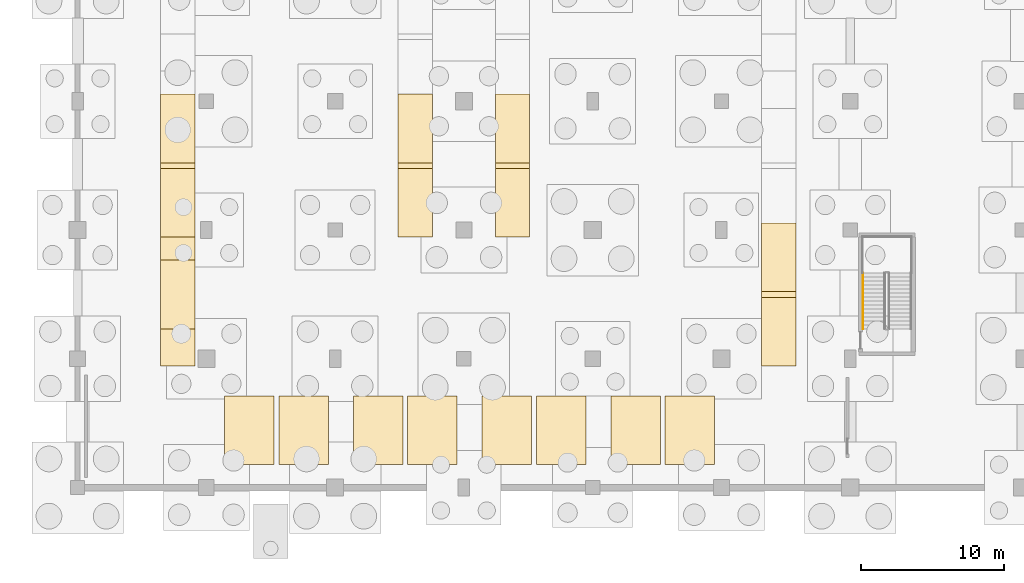
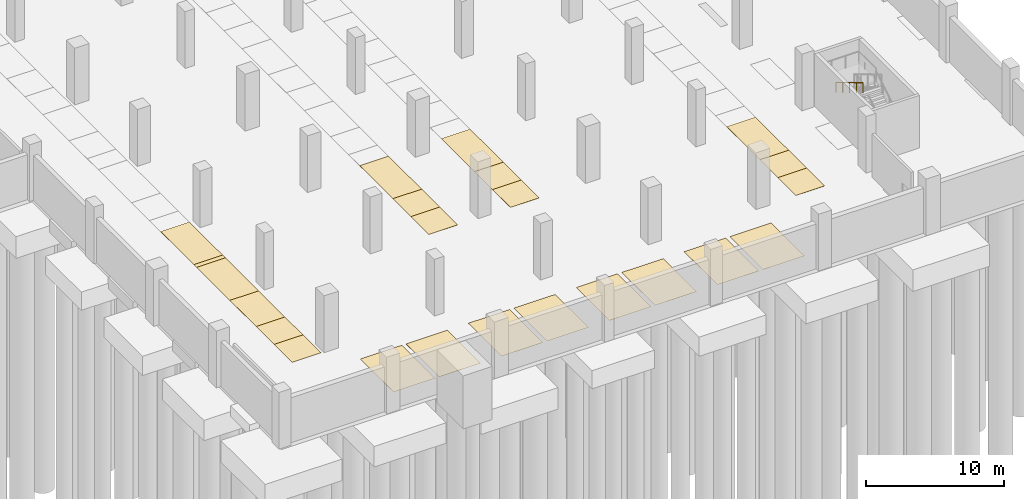
# One storey, part 27 of 37: 23 coverings, 1 railing.
"""IFC4 building model written with IfcOpenShell, lengths in metres."""

from ifc_helpers import new_model, si_unit, direction, frame, origin, origin_2d, place, context, subcontext, project, spatial, polyline, circle, outline, extrude, material, layer, layer_set, type_object, element, save


model = new_model("IFC4")

# Units and contexts
model_context = context("Model", 3, precision=1e-05, world=origin(), true_north=direction((0.0, 1.0)))
body_context = subcontext(model_context, "Body", "Model", "MODEL_VIEW")
ifc_project = project(units=[si_unit("LENGTHUNIT", "METRE"), si_unit("AREAUNIT", "SQUARE_METRE"), si_unit("VOLUMEUNIT", "CUBIC_METRE"), si_unit("PLANEANGLEUNIT", "RADIAN"), si_unit("MASSUNIT", "GRAM", prefix="KILO")], contexts=[model_context])

# Site, building, storey
site_placement = place(None, origin())
site = spatial("IfcSite", under=ifc_project, at=site_placement, CompositionType="ELEMENT")
building_placement = place(site_placement, origin())
building = spatial("IfcBuilding", under=site, at=building_placement, Name="Barlavento Convention Centre", CompositionType="ELEMENT")
storey_placement = place(building_placement, frame((0.0, 0.0, -5.0)))
storey = spatial("IfcBuildingStorey", under=building, at=storey_placement, Name="B1", CompositionType="ELEMENT", Elevation=-5.0)

# Coverings
ifc_material_1 = material(Name="Thermoplastic reflective bay marking")
ifc_layer = layer(ifc_material_1, 0.0048828125)
ifc_layer_set = layer_set([ifc_layer], Name="ARC-COV-PARK-BAY")
covering_type = type_object("IfcCoveringType", Name="ARC-COV-PARK-BAY", PredefinedType="FLOORING", material=ifc_layer_set)
covering_1_placement = place(storey_placement, origin())
element("IfcCovering", 1, at=covering_1_placement, inside=storey, type_object=covering_type, Name="Standard parking bay marking PK-001", PredefinedType="FLOORING", context=body_context, shape_type="SweptSolid", body=[
    extrude(outline(polyline([(131.800048828125, 8.5), (134.199951171875, 8.5), (134.199951171875, 13.300048828125), (131.800048828125, 13.300048828125), (131.800048828125, 8.5)])), origin(), (0.0, 0.0, 1.0), 0.0048828125),
])
covering_2_placement = place(storey_placement, origin())
element("IfcCovering", 2, at=covering_2_placement, inside=storey, type_object=covering_type, Name="Standard parking bay marking PK-002", PredefinedType="FLOORING", context=body_context, shape_type="SweptSolid", body=[
    extrude(outline(polyline([(173.800048828125, 8.5), (176.199951171875, 8.5), (176.199951171875, 13.300048828125), (173.800048828125, 13.300048828125), (173.800048828125, 8.5)])), origin(), (0.0, 0.0, 1.0), 0.0048828125),
])
covering_3_placement = place(storey_placement, origin())
element("IfcCovering", 3, at=covering_3_placement, inside=storey, type_object=covering_type, Name="Standard parking bay marking PK-003", PredefinedType="FLOORING", context=body_context, shape_type="SweptSolid", body=[
    extrude(outline(polyline([(131.800048828125, 11.10009765625), (134.199951171875, 11.10009765625), (134.199951171875, 15.89990234375), (131.800048828125, 15.89990234375), (131.800048828125, 11.10009765625)])), origin(), (0.0, 0.0, 1.0), 0.0048828125),
])
covering_4_placement = place(storey_placement, origin())
element("IfcCovering", 4, at=covering_4_placement, inside=storey, type_object=covering_type, Name="Standard parking bay marking PK-004", PredefinedType="FLOORING", context=body_context, shape_type="SweptSolid", body=[
    extrude(outline(polyline([(173.800048828125, 11.10009765625), (176.199951171875, 11.10009765625), (176.199951171875, 15.89990234375), (173.800048828125, 15.89990234375), (173.800048828125, 11.10009765625)])), origin(), (0.0, 0.0, 1.0), 0.0048828125),
])
covering_5_placement = place(storey_placement, origin())
element("IfcCovering", 5, at=covering_5_placement, inside=storey, type_object=covering_type, Name="Standard parking bay marking PK-005", PredefinedType="FLOORING", context=body_context, shape_type="SweptSolid", body=[
    extrude(outline(polyline([(131.800048828125, 13.699951171875), (134.199951171875, 13.699951171875), (134.199951171875, 18.5), (131.800048828125, 18.5), (131.800048828125, 13.699951171875)])), origin(), (0.0, 0.0, 1.0), 0.0048828125),
])
covering_6_placement = place(storey_placement, origin())
element("IfcCovering", 6, at=covering_6_placement, inside=storey, type_object=covering_type, Name="Standard parking bay marking PK-006", PredefinedType="FLOORING", context=body_context, shape_type="SweptSolid", body=[
    extrude(outline(polyline([(173.800048828125, 13.699951171875), (176.199951171875, 13.699951171875), (176.199951171875, 18.5), (173.800048828125, 18.5), (173.800048828125, 13.699951171875)])), origin(), (0.0, 0.0, 1.0), 0.0048828125),
])
covering_7_placement = place(storey_placement, origin())
element("IfcCovering", 7, at=covering_7_placement, inside=storey, type_object=covering_type, Name="Standard parking bay marking PK-007", PredefinedType="FLOORING", context=body_context, shape_type="SweptSolid", body=[
    extrude(outline(polyline([(131.800048828125, 17.5), (134.199951171875, 17.5), (134.199951171875, 22.300048828125), (131.800048828125, 22.300048828125), (131.800048828125, 17.5)])), origin(), (0.0, 0.0, 1.0), 0.0048828125),
])
covering_8_placement = place(storey_placement, origin())
element("IfcCovering", 8, at=covering_8_placement, inside=storey, type_object=covering_type, Name="Standard parking bay marking PK-009", PredefinedType="FLOORING", context=body_context, shape_type="SweptSolid", body=[
    extrude(outline(polyline([(131.800048828125, 20.10009765625), (134.199951171875, 20.10009765625), (134.199951171875, 24.89990234375), (131.800048828125, 24.89990234375), (131.800048828125, 20.10009765625)])), origin(), (0.0, 0.0, 1.0), 0.0048828125),
])
covering_9_placement = place(storey_placement, origin())
element("IfcCovering", 9, at=covering_9_placement, inside=storey, type_object=covering_type, Name="Standard parking bay marking PK-011", PredefinedType="FLOORING", context=body_context, shape_type="SweptSolid", body=[
    extrude(outline(polyline([(131.800048828125, 22.699951171875), (134.199951171875, 22.699951171875), (134.199951171875, 27.5), (131.800048828125, 27.5), (131.800048828125, 22.699951171875)])), origin(), (0.0, 0.0, 1.0), 0.0048828125),
])
covering_10_placement = place(storey_placement, origin())
element("IfcCovering", 10, at=covering_10_placement, inside=storey, type_object=covering_type, Name="Standard parking bay marking PK-055", PredefinedType="FLOORING", context=body_context, shape_type="SweptSolid", body=[
    extrude(outline(polyline([(148.39990234375, 17.5), (150.800048828125, 17.5), (150.800048828125, 22.300048828125), (148.39990234375, 22.300048828125), (148.39990234375, 17.5)])), origin(), (0.0, 0.0, 1.0), 0.0048828125),
])
covering_11_placement = place(storey_placement, origin())
element("IfcCovering", 11, at=covering_11_placement, inside=storey, type_object=covering_type, Name="Standard parking bay marking PK-056", PredefinedType="FLOORING", context=body_context, shape_type="SweptSolid", body=[
    extrude(outline(polyline([(155.199951171875, 17.5), (157.60009765625, 17.5), (157.60009765625, 22.300048828125), (155.199951171875, 22.300048828125), (155.199951171875, 17.5)])), origin(), (0.0, 0.0, 1.0), 0.0048828125),
])
covering_12_placement = place(storey_placement, origin())
element("IfcCovering", 12, at=covering_12_placement, inside=storey, type_object=covering_type, Name="Standard parking bay marking PK-057", PredefinedType="FLOORING", context=body_context, shape_type="SweptSolid", body=[
    extrude(outline(polyline([(148.39990234375, 20.10009765625), (150.800048828125, 20.10009765625), (150.800048828125, 24.89990234375), (148.39990234375, 24.89990234375), (148.39990234375, 20.10009765625)])), origin(), (0.0, 0.0, 1.0), 0.0048828125),
])
covering_13_placement = place(storey_placement, origin())
element("IfcCovering", 13, at=covering_13_placement, inside=storey, type_object=covering_type, Name="Standard parking bay marking PK-058", PredefinedType="FLOORING", context=body_context, shape_type="SweptSolid", body=[
    extrude(outline(polyline([(155.199951171875, 20.10009765625), (157.60009765625, 20.10009765625), (157.60009765625, 24.89990234375), (155.199951171875, 24.89990234375), (155.199951171875, 20.10009765625)])), origin(), (0.0, 0.0, 1.0), 0.0048828125),
])
covering_14_placement = place(storey_placement, origin())
element("IfcCovering", 14, at=covering_14_placement, inside=storey, type_object=covering_type, Name="Standard parking bay marking PK-059", PredefinedType="FLOORING", context=body_context, shape_type="SweptSolid", body=[
    extrude(outline(polyline([(148.39990234375, 22.699951171875), (150.800048828125, 22.699951171875), (150.800048828125, 27.5), (148.39990234375, 27.5), (148.39990234375, 22.699951171875)])), origin(), (0.0, 0.0, 1.0), 0.0048828125),
])
covering_15_placement = place(storey_placement, origin())
element("IfcCovering", 15, at=covering_15_placement, inside=storey, type_object=covering_type, Name="Standard parking bay marking PK-060", PredefinedType="FLOORING", context=body_context, shape_type="SweptSolid", body=[
    extrude(outline(polyline([(155.199951171875, 22.699951171875), (157.60009765625, 22.699951171875), (157.60009765625, 27.5), (155.199951171875, 27.5), (155.199951171875, 22.699951171875)])), origin(), (0.0, 0.0, 1.0), 0.0048828125),
])
covering_16_placement = place(storey_placement, origin())
element("IfcCovering", 16, at=covering_16_placement, inside=storey, type_object=covering_type, Name="Accessible parking bay marking PKA-01", PredefinedType="FLOORING", context=body_context, shape_type="SweptSolid", body=[
    extrude(outline(polyline([(136.27197265625, 1.60009765625), (139.72802734375, 1.60009765625), (139.72802734375, 6.39990234375), (136.27197265625, 6.39990234375), (136.27197265625, 1.60009765625)])), origin(), (0.0, 0.0, 1.0), 0.0048828125),
])
covering_17_placement = place(storey_placement, origin())
element("IfcCovering", 17, at=covering_17_placement, inside=storey, type_object=covering_type, Name="Accessible parking bay marking PKA-02", PredefinedType="FLOORING", context=body_context, shape_type="SweptSolid", body=[
    extrude(outline(polyline([(140.072021484375, 1.60009765625), (143.528076171875, 1.60009765625), (143.528076171875, 6.39990234375), (140.072021484375, 6.39990234375), (140.072021484375, 1.60009765625)])), origin(), (0.0, 0.0, 1.0), 0.0048828125),
])
covering_18_placement = place(storey_placement, origin())
element("IfcCovering", 18, at=covering_18_placement, inside=storey, type_object=covering_type, Name="Accessible parking bay marking PKA-03", PredefinedType="FLOORING", context=body_context, shape_type="SweptSolid", body=[
    extrude(outline(polyline([(145.27197265625, 1.60009765625), (148.72802734375, 1.60009765625), (148.72802734375, 6.39990234375), (145.27197265625, 6.39990234375), (145.27197265625, 1.60009765625)])), origin(), (0.0, 0.0, 1.0), 0.0048828125),
])
covering_19_placement = place(storey_placement, origin())
element("IfcCovering", 19, at=covering_19_placement, inside=storey, type_object=covering_type, Name="Accessible parking bay marking PKA-04", PredefinedType="FLOORING", context=body_context, shape_type="SweptSolid", body=[
    extrude(outline(polyline([(149.072021484375, 1.60009765625), (152.528076171875, 1.60009765625), (152.528076171875, 6.39990234375), (149.072021484375, 6.39990234375), (149.072021484375, 1.60009765625)])), origin(), (0.0, 0.0, 1.0), 0.0048828125),
])
covering_20_placement = place(storey_placement, origin())
element("IfcCovering", 20, at=covering_20_placement, inside=storey, type_object=covering_type, Name="Accessible parking bay marking PKA-05", PredefinedType="FLOORING", context=body_context, shape_type="SweptSolid", body=[
    extrude(outline(polyline([(154.27197265625, 1.60009765625), (157.72802734375, 1.60009765625), (157.72802734375, 6.39990234375), (154.27197265625, 6.39990234375), (154.27197265625, 1.60009765625)])), origin(), (0.0, 0.0, 1.0), 0.0048828125),
])
covering_21_placement = place(storey_placement, origin())
element("IfcCovering", 21, at=covering_21_placement, inside=storey, type_object=covering_type, Name="Accessible parking bay marking PKA-06", PredefinedType="FLOORING", context=body_context, shape_type="SweptSolid", body=[
    extrude(outline(polyline([(158.072021484375, 1.60009765625), (161.528076171875, 1.60009765625), (161.528076171875, 6.39990234375), (158.072021484375, 6.39990234375), (158.072021484375, 1.60009765625)])), origin(), (0.0, 0.0, 1.0), 0.0048828125),
])
covering_22_placement = place(storey_placement, origin())
element("IfcCovering", 22, at=covering_22_placement, inside=storey, type_object=covering_type, Name="Accessible parking bay marking PKA-07", PredefinedType="FLOORING", context=body_context, shape_type="SweptSolid", body=[
    extrude(outline(polyline([(163.27197265625, 1.60009765625), (166.72802734375, 1.60009765625), (166.72802734375, 6.39990234375), (163.27197265625, 6.39990234375), (163.27197265625, 1.60009765625)])), origin(), (0.0, 0.0, 1.0), 0.0048828125),
])
covering_23_placement = place(storey_placement, origin())
element("IfcCovering", 23, at=covering_23_placement, inside=storey, type_object=covering_type, Name="Accessible parking bay marking PKA-08", PredefinedType="FLOORING", context=body_context, shape_type="SweptSolid", body=[
    extrude(outline(polyline([(167.072021484375, 1.60009765625), (170.528076171875, 1.60009765625), (170.528076171875, 6.39990234375), (167.072021484375, 6.39990234375), (167.072021484375, 1.60009765625)])), origin(), (0.0, 0.0, 1.0), 0.0048828125),
])

# Railing
ifc_material_2 = material(Name="Brushed stainless steel tubular handrail", Category="steel")
railing_type = type_object("IfcRailingType", Name="ARC-RAL-HR-900", PredefinedType="HANDRAIL", material=ifc_material_2)
railing_placement = place(storey_placement, frame((180.89990234375, 15.010009765625, 2.666748046875)))
element("IfcRailing", 24, at=railing_placement, inside=storey, type_object=railing_type, Name="B1 ST14 stair handrail 2", PredefinedType="HANDRAIL", context=body_context, shape_type="SweptSolid", body=[
    extrude(circle(Radius=0.02392578125, at=origin_2d()), frame((0.0, 0.0, 0.8759765625), z_axis=(0.0, -0.859296244711, 0.511478214419), x_axis=(1.0, 0.0, 0.0)), (0.0, 0.0, 1.0), 4.561767578125),
    extrude(circle(Radius=0.02099609375, at=origin_2d()), origin(), (0.0, 0.0, 1.0), 0.851806640625),
    extrude(circle(Radius=0.02099609375, at=origin_2d()), frame((0.0, -0.97998046875, 0.583251953125)), (0.0, 0.0, 1.0), 0.851806640625),
    extrude(circle(Radius=0.02099609375, at=origin_2d()), frame((0.0, -1.9599609375, 1.16650390625)), (0.0, 0.0, 1.0), 0.851806640625),
    extrude(circle(Radius=0.02099609375, at=origin_2d()), frame((0.0, -2.93994140625, 1.75)), (0.0, 0.0, 1.0), 0.851806640625),
    extrude(circle(Radius=0.02099609375, at=origin_2d()), frame((0.0, -3.919921875, 2.333251953125)), (0.0, 0.0, 1.0), 0.851806640625),
])

save(model, "model.ifc")
